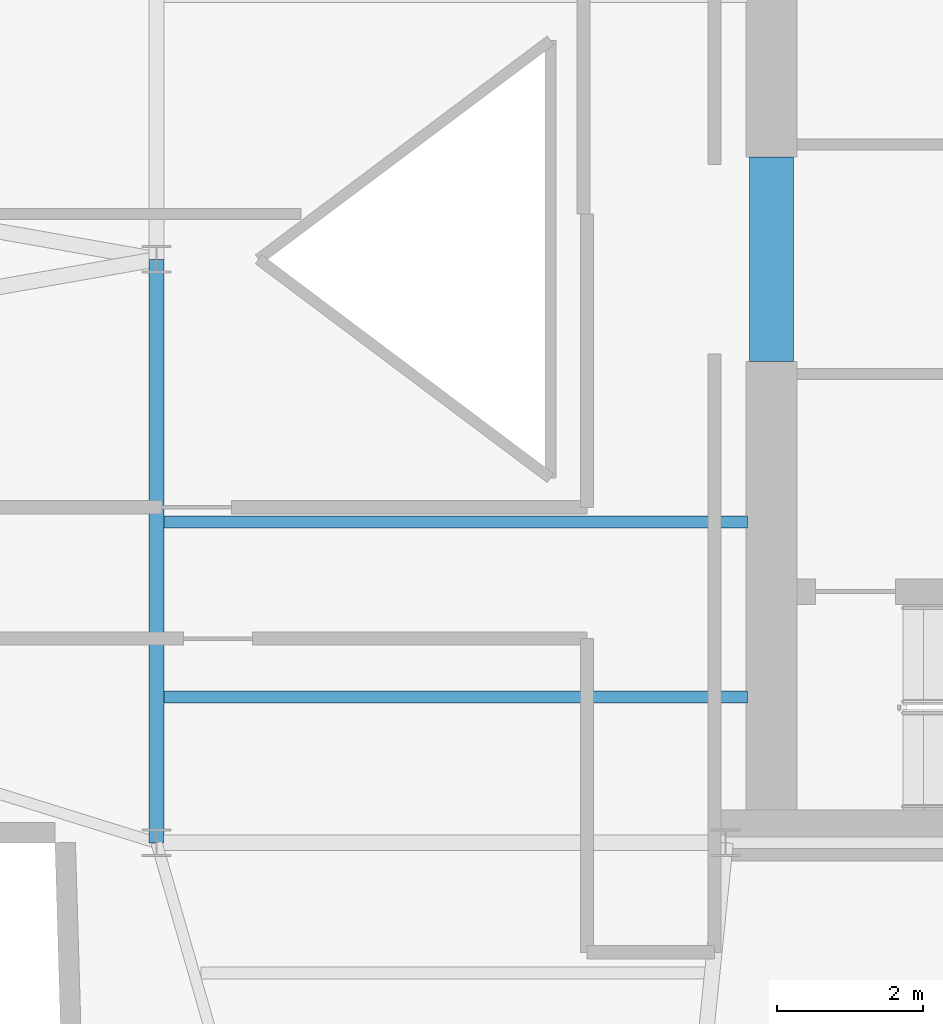
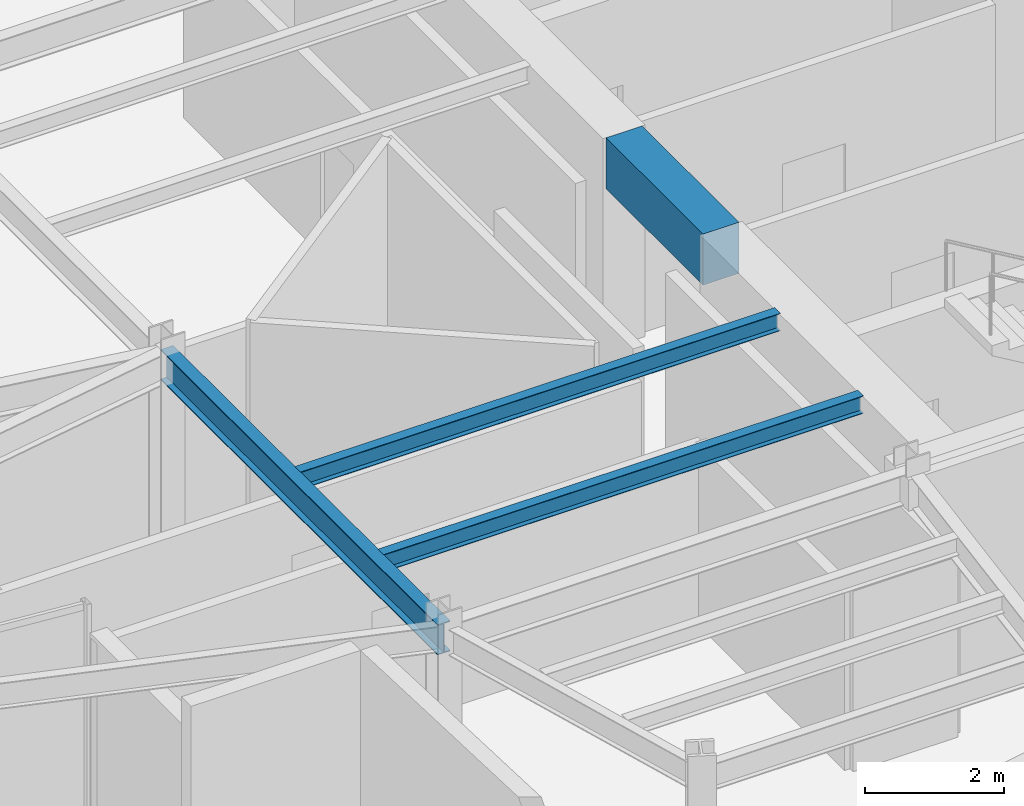
# One storey, part 7 of 23: 4 beams.
"""IFC4 building model written with IfcOpenShell, lengths in metres."""

from ifc_helpers import new_model, si_unit, direction, frame, origin, origin_2d, place, context, subcontext, project, spatial, rectangle, i_section, extrude, material, material_profile, profile_set, type_object, element, save


model = new_model("IFC4")

# Units and contexts
model_context = context("Model", 3, precision=1e-05, world=origin(), true_north=direction((0.0, 1.0)))
body_context = subcontext(model_context, "Body", "Model", "MODEL_VIEW")
ifc_project = project(units=[si_unit("LENGTHUNIT", "METRE"), si_unit("AREAUNIT", "SQUARE_METRE"), si_unit("VOLUMEUNIT", "CUBIC_METRE"), si_unit("PLANEANGLEUNIT", "RADIAN"), si_unit("MASSUNIT", "GRAM", prefix="KILO")], contexts=[model_context])

# Site, building, storey
site_placement = place(None, origin())
site = spatial("IfcSite", under=ifc_project, at=site_placement, CompositionType="ELEMENT")
building_placement = place(site_placement, origin())
building = spatial("IfcBuilding", under=site, at=building_placement, Name="Veymaron Broadcast Tower", CompositionType="ELEMENT")
storey_placement = place(building_placement, frame((0.0, 0.0, 252.60009765625)))
storey = spatial("IfcBuildingStorey", under=building, at=storey_placement, Name="L59", CompositionType="ELEMENT", Elevation=252.60009765625)

# Beams
ifc_material_1 = material(Name="Concrete C60/75", Category="concrete")
ifc_material_profile_1 = material_profile(ifc_material_1, rectangle(XDim=0.60009765625, YDim=0.89990234375, at=origin_2d()), Name="RC600X900")
ifc_profile_set_1 = profile_set([ifc_material_profile_1], Name="Concrete C60/75")
beam_type_1 = type_object("IfcBeamType", Name="BM-CB2", PredefinedType="LINTEL", material=ifc_profile_set_1)
beam_1_placement = place(storey_placement, frame((39.6298828125, 22.60009765625, 3.27978515625), z_axis=(0.0, 1.0, 0.0), x_axis=(-1.0, 0.0, 0.0)))
element("IfcBeam", 1, at=beam_1_placement, inside=storey, type_object=beam_type_1, Name="L59 Core Wall west coupling beam", PredefinedType="LINTEL", context=body_context, shape_type="SweptSolid", body=[
    extrude(rectangle(XDim=0.60009765625, YDim=0.89990234375, at=origin_2d()), origin(), (0.0, 0.0, 1.0), 2.7998046875),
])
ifc_material_2 = material(Name="Structural steel ASTM A992 Gr 50", Category="steel")
ifc_material_profile_2 = material_profile(ifc_material_2, i_section(OverallWidth=0.2099609375, OverallDepth=0.537109375, WebThickness=0.010986328125, FlangeThickness=0.017333984375, at=origin_2d()), Name="W530X101")
ifc_profile_set_2 = profile_set([ifc_material_profile_2], Name="Structural steel ASTM A992 Gr 50")
beam_type_2 = type_object("IfcBeamType", Name="BM-FG3", PredefinedType="BEAM", material=ifc_profile_set_2)
beam_2_placement = place(storey_placement, frame((31.199951171875, 16.0, 3.46142578125), z_axis=(0.0, 1.0, 0.0), x_axis=(-1.0, 0.0, 0.0)))
element("IfcBeam", 2, at=beam_2_placement, inside=storey, type_object=beam_type_2, Name="L59 primary structural floor girder", PredefinedType="BEAM", context=body_context, shape_type="SweptSolid", body=[
    extrude(i_section(OverallWidth=0.2099609375, OverallDepth=0.537109375, WebThickness=0.010986328125, FlangeThickness=0.017333984375, at=origin_2d()), origin(), (0.0, 0.0, 1.0), 8.0),
])
ifc_material_profile_3 = material_profile(ifc_material_2, i_section(OverallWidth=0.1650390625, OverallDepth=0.31005859375, WebThickness=0.005859375, FlangeThickness=0.009765625, at=origin_2d()), Name="W310X39")
ifc_profile_set_3 = profile_set([ifc_material_profile_3], Name="Structural steel ASTM A992 Gr 50")
beam_type_3 = type_object("IfcBeamType", Name="BM-JS3", PredefinedType="JOIST", material=ifc_profile_set_3)
for number, where, z_axis, x_axis, name in (
    (3, (31.300048828125, 18.0, 3.574951171875), (1.0, 0.0, 0.0), (0.0, 1.0, 0.0), "L59 Hub secondary joist 1"),
    (4, (31.300048828125, 20.39990234375, 3.574951171875), (1.0, 0.0, 0.0), (0.0, 1.0, 0.0), "L59 Hub secondary joist 2"),
):
    element("IfcBeam", number, at=place(storey_placement, frame(where, z_axis=z_axis, x_axis=x_axis)), inside=storey, type_object=beam_type_3, Name=name, PredefinedType="JOIST", context=body_context, shape_type="SweptSolid", body=[
        extrude(i_section(OverallWidth=0.1650390625, OverallDepth=0.31005859375, WebThickness=0.005859375, FlangeThickness=0.009765625, at=origin_2d()), origin(), (0.0, 0.0, 1.0), 8.0),
    ])

save(model, "model.ifc")
